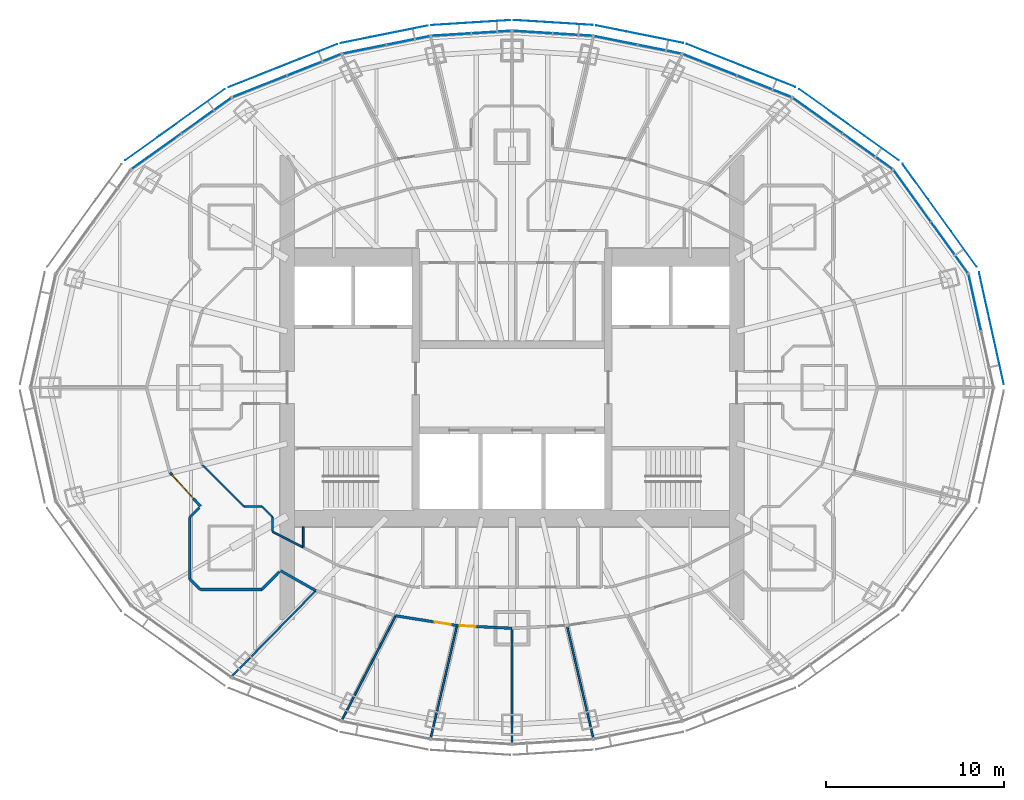
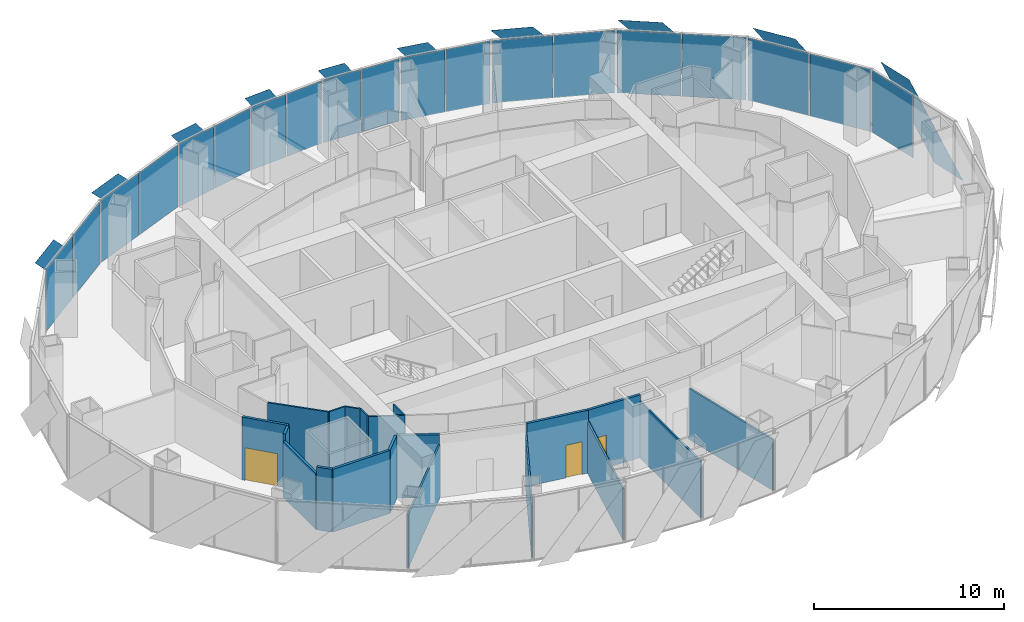
# One storey, part 11 of 18: 29 plates, 20 walls, 3 doors, 3 openings, 10 elements without a shape of their own.
"""IFC4 building model written with IfcOpenShell, lengths in metres."""

import ifcopenshell
import ifcopenshell.guid

model = None  # the IFC model being written
_history = None  # IfcOwnerHistory: only IFC2X3 demands one
_inside = {}  # id of a spatial element -> (the spatial element, [elements in it])
_under = {}  # id of a project, library or spatial element -> (it, [spatial elements below it])
_declared = {}  # id of a project -> (the project, [libraries it declares])
_typed = {}  # id of a type object -> (the type object, [elements of that type])
_made_of = {}  # id of a material, layer set ... -> (it, [elements and type objects made of it])


def new_model(schema):
    """Start an empty IFC model of exactly this schema.

    Asked for "IFC4X3", IfcOpenShell would pick the latest addendum, in which some entities
    have other attributes; the version numbers below select the first issue.
    IFC2X3 requires an IfcOwnerHistory on every rooted entity: one is made here for all.
    """
    global model, _history
    if schema == "IFC4X3":
        model = ifcopenshell.file(schema_version=(4, 3, 0, 0))
    else:
        model = ifcopenshell.file(schema=schema)
    _inside.clear()
    _under.clear()
    _declared.clear()
    _typed.clear()
    _made_of.clear()
    _history = None
    if model.schema == "IFC2X3":
        org = make("IfcOrganization", Name="unknown")
        user = make(
            "IfcPersonAndOrganization",
            ThePerson=make("IfcPerson", FamilyName="unknown"),
            TheOrganization=org,
        )
        app = make(
            "IfcApplication",
            ApplicationDeveloper=org,
            Version="unknown",
            ApplicationFullName="unknown",
            ApplicationIdentifier="unknown",
        )
        _history = make(
            "IfcOwnerHistory",
            OwningUser=user,
            OwningApplication=app,
            ChangeAction="ADDED",
            CreationDate=0,
        )
    return model


def make(cls, **values):
    """One entity of the class cls with the attributes given. An attribute that is None is left unset."""
    return model.create_entity(
        cls, **{name: value for name, value in values.items() if value is not None}
    )


def rooted(cls, **values):
    """An entity with a GlobalId (a new one), such as an element, a storey or a relation."""
    return make(cls, GlobalId=ifcopenshell.guid.new(), OwnerHistory=_history, **values)


def si_unit(unit_type, name, prefix=None):
    """IfcSIUnit, for example si_unit("LENGTHUNIT", "METRE", prefix="MILLI")."""
    return make("IfcSIUnit", UnitType=unit_type, Prefix=prefix, Name=name)


def assignment(units):
    """IfcUnitAssignment: the units of a project."""
    return None if units is None else make("IfcUnitAssignment", Units=units)


def point(xyz):
    """IfcCartesianPoint."""
    return None if xyz is None else make("IfcCartesianPoint", Coordinates=xyz)


def direction(xyz):
    """IfcDirection."""
    return None if xyz is None else make("IfcDirection", DirectionRatios=xyz)


def frame(location, z_axis=None, x_axis=None):
    """IfcAxis2Placement3D, a coordinate frame: its origin and axes. An axis left out is left unset."""
    return make(
        "IfcAxis2Placement3D",
        Location=point(location),
        Axis=direction(z_axis),
        RefDirection=direction(x_axis),
    )


def frame_2d(location, x_axis=None):
    """IfcAxis2Placement2D, a coordinate frame in the plane: its origin and x axis."""
    return make(
        "IfcAxis2Placement2D", Location=point(location), RefDirection=direction(x_axis)
    )


def origin():
    """The frame at (0, 0, 0) with its axes left unset."""
    return frame((0.0, 0.0, 0.0))


def origin_2d():
    """The frame at (0, 0) in the plane with its x axis left unset."""
    return frame_2d((0.0, 0.0))


def place(relative_to, where):
    """IfcLocalPlacement: puts the frame where relative to a parent placement (None: the world)."""
    return make(
        "IfcLocalPlacement", PlacementRelTo=relative_to, RelativePlacement=where
    )


def context(
    kind, dimensions, precision=None, world=None, true_north=None, identifier=None
):
    """IfcGeometricRepresentationContext, for example the 3D "Model" context."""
    return make(
        "IfcGeometricRepresentationContext",
        ContextIdentifier=identifier,
        ContextType=kind,
        CoordinateSpaceDimension=dimensions,
        Precision=precision,
        WorldCoordinateSystem=world,
        TrueNorth=true_north,
    )


def subcontext(parent, identifier, kind, view, scale=None):
    """IfcGeometricRepresentationSubContext, for example "Body" below "Model"."""
    return make(
        "IfcGeometricRepresentationSubContext",
        ContextIdentifier=identifier,
        ContextType=kind,
        ParentContext=parent,
        TargetScale=scale,
        TargetView=view,
    )


def project(units=None, contexts=None):
    """IfcProject with its units and contexts."""
    return rooted(
        "IfcProject",
        Name="project",
        RepresentationContexts=contexts,
        UnitsInContext=assignment(units),
    )


def spatial(cls, under=None, at=None, **own):
    """A site, building, storey or space (cls), placed at a placement, below another one or the project."""
    s = rooted(cls, ObjectPlacement=at, **own)
    if under is not None:
        _under.setdefault(under.id(), (under, []))[1].append(s)
    return s


def polyline(points):
    """IfcPolyline through the points."""
    return make("IfcPolyline", Points=[point(p) for p in points])


def profile(cls, at=None, kind="AREA", **sizes):
    """A parametric profile (cls). Its sizes go by their IFC names, for example OverallWidth=200.0."""
    return make(cls, ProfileType=kind, Position=at, **sizes)


def rectangle(**sizes):
    """IfcRectangleProfileDef."""
    return profile("IfcRectangleProfileDef", **sizes)


def outline(outer, holes=None, kind="AREA"):
    """IfcArbitraryClosedProfileDef: a profile drawn as a closed curve; with holes, ...WithVoids."""
    if holes is None:
        return make("IfcArbitraryClosedProfileDef", ProfileType=kind, OuterCurve=outer)
    return make(
        "IfcArbitraryProfileDefWithVoids",
        ProfileType=kind,
        OuterCurve=outer,
        InnerCurves=holes,
    )


def extrude(swept, where, along, depth):
    """IfcExtrudedAreaSolid: the profile swept, set in the frame where, extruded along a direction by depth."""
    return make(
        "IfcExtrudedAreaSolid",
        SweptArea=swept,
        Position=where,
        ExtrudedDirection=direction(along),
        Depth=depth,
    )


def shape(context_of_items, identifier, shape_type, items):
    """IfcShapeRepresentation: the items that make up one representation, for example the "Body"."""
    return make(
        "IfcShapeRepresentation",
        ContextOfItems=context_of_items,
        RepresentationIdentifier=identifier,
        RepresentationType=shape_type,
        Items=items,
    )


def material(Name=None, Category=None):
    """IfcMaterial."""
    return make("IfcMaterial", Name=Name, Category=Category)


def layer(
    of_material, thickness, ventilated=None, Name=None, Category=None, Priority=None
):
    """IfcMaterialLayer: one layer of a wall or slab, of a material (None: an air gap)."""
    return make(
        "IfcMaterialLayer",
        Material=of_material,
        LayerThickness=thickness,
        IsVentilated=ventilated,
        Name=Name,
        Category=Category,
        Priority=Priority,
    )


def layer_set(layers, Name=None):
    """IfcMaterialLayerSet."""
    return make("IfcMaterialLayerSet", MaterialLayers=layers, LayerSetName=Name)


def made_of(thing, what):
    """Note that an element or type object is made of a material, layer set ...; save() writes the relation."""
    if what is not None:
        _made_of.setdefault(what.id(), (what, []))[1].append(thing)
    return thing


def type_object(cls, material=None, **own):
    """A type object (cls), such as IfcWallType, which elements share."""
    return made_of(rooted(cls, **own), material)


def element(
    cls,
    number,
    at=None,
    inside=None,
    cuts=None,
    type_object=None,
    material=None,
    context=None,
    identifier="Body",
    shape_type=None,
    held_by="IfcProductDefinitionShape",
    body=None,
    shapes=None,
    **own,
):
    """One element of the class cls, such as IfcWall. Its Tag is "e" and its number.

    at: its placement. inside: the storey or other place that contains it. cuts: it is an
    opening in that element (IfcRelVoidsElement). A single representation is given by context,
    identifier, shape_type and body (its items); several are given by shapes. held_by: the class
    of the entity that holds the representations. save() writes the other relations.
    """
    e = rooted(cls, Tag="e%d" % number, ObjectPlacement=at, **own)
    if body is not None:
        shapes = [shape(context, identifier, shape_type, body)]
    if shapes is not None:
        e.Representation = make(held_by, Representations=shapes)
    if inside is not None:
        _inside.setdefault(inside.id(), (inside, []))[1].append(e)
    if cuts is not None:
        rooted(
            "IfcRelVoidsElement", RelatingBuildingElement=cuts, RelatedOpeningElement=e
        )
    if type_object is not None:
        _typed.setdefault(type_object.id(), (type_object, []))[1].append(e)
    return made_of(e, material)


def fill(opening, filler):
    """IfcRelFillsElement: the door or window that sits in an opening."""
    return rooted(
        "IfcRelFillsElement",
        RelatingOpeningElement=opening,
        RelatedBuildingElement=filler,
    )


def aggregate(whole, parts):
    """IfcRelAggregates: a whole, such as a stair, and the parts it consists of."""
    return rooted("IfcRelAggregates", RelatingObject=whole, RelatedObjects=parts)


def save(model, path):
    """Write the relations noted so far, then the file.

    IfcRelAggregates (storeys below a building ...), IfcRelContainedInSpatialStructure (elements
    in a storey), IfcRelDefinesByType, IfcRelAssociatesMaterial and IfcRelDeclares: one each for
    every whole, place, type object, material and project.
    """
    for whole, parts in _under.values():
        aggregate(whole, parts)
    for where, things in _inside.values():
        rooted(
            "IfcRelContainedInSpatialStructure",
            RelatedElements=things,
            RelatingStructure=where,
        )
    for kind, things in _typed.values():
        rooted("IfcRelDefinesByType", RelatedObjects=things, RelatingType=kind)
    for what, things in _made_of.values():
        rooted("IfcRelAssociatesMaterial", RelatedObjects=things, RelatingMaterial=what)
    for by, libraries in _declared.values():
        rooted("IfcRelDeclares", RelatingContext=by, RelatedDefinitions=libraries)
    model.write(path)


model = new_model("IFC4")

# Units and contexts
model_context = context("Model", 3, precision=1e-05, world=origin(), true_north=direction((0.0, 1.0)))
body_context = subcontext(model_context, "Body", "Model", "MODEL_VIEW")
ifc_project = project(units=[si_unit("LENGTHUNIT", "METRE"), si_unit("AREAUNIT", "SQUARE_METRE"), si_unit("VOLUMEUNIT", "CUBIC_METRE"), si_unit("PLANEANGLEUNIT", "RADIAN"), si_unit("MASSUNIT", "GRAM", prefix="KILO")], contexts=[model_context])

# Site, building, storey
site_placement = place(None, origin())
site = spatial("IfcSite", under=ifc_project, at=site_placement, CompositionType="ELEMENT")
building_placement = place(site_placement, origin())
building = spatial("IfcBuilding", under=site, at=building_placement, Name="Lantaw Convention Tower", CompositionType="ELEMENT")
storey_placement = place(building_placement, frame((0.0, 0.0, 228.39990234375)))
storey = spatial("IfcBuildingStorey", under=building, at=storey_placement, Name="L53", CompositionType="ELEMENT", Elevation=228.39990234375)

# Curtain wall, plate
ifc_material_1 = material(Name="Aluminium framed curtain wall", Category="aluminium")
curtain_wall_type = type_object("IfcCurtainWallType", Name="Office curtain wall high rise, pale aluminium", PredefinedType="USERDEFINED", material=ifc_material_1)
curtain_wall_1_placement = place(storey_placement, origin())
curtain_wall_1 = element("IfcCurtainWall", 1, at=curtain_wall_1_placement, inside=storey, type_object=curtain_wall_type, Name="Office curtain wall high rise, pale aluminium L53", ObjectType="UNITISED CURTAIN WALL", PredefinedType="USERDEFINED")
ifc_material_2 = material(Name="Clear insulating glass", Category="glass")
ifc_layer_1 = layer(ifc_material_2, 0.028076171875)
ifc_layer_set_1 = layer_set([ifc_layer_1], Name="CW-O2 panel 28")
plate_type_1 = type_object("IfcPlateType", Name="CW-O2 panel 28", PredefinedType="CURTAIN_PANEL", material=ifc_layer_set_1)
plate_1_placement = place(storey_placement, frame((25.945556640625, 4.769287109375, -0.0849609375), z_axis=(0.0, 0.0, 1.0), x_axis=(-0.215891333626, 0.976417396437, 0.0)))
plate_1 = element("IfcPlate", 2, at=plate_1_placement, type_object=plate_type_1, Name="CW-O2 panel 2.1", PredefinedType="CURTAIN_PANEL", context=body_context, shape_type="SweptSolid", body=[
    extrude(rectangle(XDim=3.169677734375, YDim=0.028076171875, at=origin_2d()), origin(), (0.0, 0.0, 1.0), 4.02001953125),
])
aggregate(curtain_wall_1, [plate_1])

# Curtain wall, plates
curtain_wall_2_placement = place(storey_placement, origin())
curtain_wall_2 = element("IfcCurtainWall", 3, at=curtain_wall_2_placement, inside=storey, type_object=curtain_wall_type, Name="Office curtain wall high rise, pale aluminium L53", ObjectType="UNITISED CURTAIN WALL", PredefinedType="USERDEFINED")
plate_2_placement = place(storey_placement, frame((24.527099609375, 7.852294921875, -0.0849609375), z_axis=(0.0, 0.0, 1.0), x_axis=(-0.585157643865, 0.810919559405, 0.0)))
plate_2 = element("IfcPlate", 4, at=plate_2_placement, type_object=plate_type_1, Name="CW-O2 panel 1.1", PredefinedType="CURTAIN_PANEL", context=body_context, shape_type="SweptSolid", body=[
    extrude(rectangle(XDim=3.500732421875, YDim=0.028076171875, at=origin_2d()), origin(), (0.0, 0.0, 1.0), 4.02001953125),
])
plate_3_placement = place(storey_placement, frame((22.4404296875, 10.743896484375, -0.0849609375), z_axis=(0.0, 0.0, 1.0), x_axis=(-0.585157643865, 0.810919559405, 0.0)))
plate_3 = element("IfcPlate", 5, at=plate_3_placement, type_object=plate_type_1, Name="CW-O2 panel 2.1", PredefinedType="CURTAIN_PANEL", context=body_context, shape_type="SweptSolid", body=[
    extrude(rectangle(XDim=3.500732421875, YDim=0.028076171875, at=origin_2d()), origin(), (0.0, 0.0, 1.0), 4.02001953125),
])
aggregate(curtain_wall_2, [plate_2, plate_3])

curtain_wall_3_placement = place(storey_placement, origin())
curtain_wall_3 = element("IfcCurtainWall", 6, at=curtain_wall_3_placement, inside=storey, type_object=curtain_wall_type, Name="Office curtain wall high rise, pale aluminium L53", ObjectType="UNITISED CURTAIN WALL", PredefinedType="USERDEFINED")
plate_4_placement = place(storey_placement, frame((19.947509765625, 13.23828125, -0.0849609375), z_axis=(0.0, 0.0, 1.0), x_axis=(-0.813672540482, 0.581323487281, 0.0)))
plate_4 = element("IfcPlate", 7, at=plate_4_placement, type_object=plate_type_1, Name="CW-O2 panel 1.1", PredefinedType="CURTAIN_PANEL", context=body_context, shape_type="SweptSolid", body=[
    extrude(rectangle(XDim=3.386474609375, YDim=0.028076171875, at=origin_2d()), origin(), (0.0, 0.0, 1.0), 4.02001953125),
])
plate_5_placement = place(storey_placement, frame((17.13916015625, 15.24462890625, -0.0849609375), z_axis=(0.0, 0.0, 1.0), x_axis=(-0.813672540482, 0.581323487281, 0.0)))
plate_5 = element("IfcPlate", 8, at=plate_5_placement, type_object=plate_type_1, Name="CW-O2 panel 2.1", PredefinedType="CURTAIN_PANEL", context=body_context, shape_type="SweptSolid", body=[
    extrude(rectangle(XDim=3.386474609375, YDim=0.028076171875, at=origin_2d()), origin(), (0.0, 0.0, 1.0), 4.02001953125),
])
aggregate(curtain_wall_3, [plate_4, plate_5])

curtain_wall_4_placement = place(storey_placement, origin())
curtain_wall_4 = element("IfcCurtainWall", 9, at=curtain_wall_4_placement, inside=storey, type_object=curtain_wall_type, Name="Office curtain wall high rise, pale aluminium L53", ObjectType="UNITISED CURTAIN WALL", PredefinedType="USERDEFINED")
plate_6_placement = place(storey_placement, frame((14.14990234375, 16.8837890625, -0.0849609375), z_axis=(0.0, 0.0, 1.0), x_axis=(-0.929761533743, 0.368162315252, 0.0)))
plate_6 = element("IfcPlate", 10, at=plate_6_placement, type_object=plate_type_1, Name="CW-O2 panel 1.1", PredefinedType="CURTAIN_PANEL", context=body_context, shape_type="SweptSolid", body=[
    extrude(rectangle(XDim=3.222900390625, YDim=0.028076171875, at=origin_2d()), origin(), (0.0, 0.0, 1.0), 4.02001953125),
])
plate_7_placement = place(storey_placement, frame((11.0927734375, 18.094482421875, -0.0849609375), z_axis=(0.0, 0.0, 1.0), x_axis=(-0.929761533743, 0.368162315252, 0.0)))
plate_7 = element("IfcPlate", 11, at=plate_7_placement, type_object=plate_type_1, Name="CW-O2 panel 2.1", PredefinedType="CURTAIN_PANEL", context=body_context, shape_type="SweptSolid", body=[
    extrude(rectangle(XDim=3.222900390625, YDim=0.028076171875, at=origin_2d()), origin(), (0.0, 0.0, 1.0), 4.02001953125),
])
aggregate(curtain_wall_4, [plate_6, plate_7])

curtain_wall_5_placement = place(storey_placement, origin())
curtain_wall_5 = element("IfcCurtainWall", 12, at=curtain_wall_5_placement, inside=storey, type_object=curtain_wall_type, Name="Office curtain wall high rise, pale aluminium L53", ObjectType="UNITISED CURTAIN WALL", PredefinedType="USERDEFINED")
plate_8_placement = place(storey_placement, frame((8.2724609375, 18.96533203125, -0.0849609375), z_axis=(0.0, 0.0, 1.0), x_axis=(-0.980366679695, 0.197183095987, 0.0)))
plate_8 = element("IfcPlate", 13, at=plate_8_placement, type_object=plate_type_1, Name="CW-O2 panel 1.1", PredefinedType="CURTAIN_PANEL", context=body_context, shape_type="SweptSolid", body=[
    extrude(rectangle(XDim=2.44384765625, YDim=0.028076171875, at=origin_2d()), origin(), (0.0, 0.0, 1.0), 4.02001953125),
])
plate_9_placement = place(storey_placement, frame((5.81298828125, 19.4599609375, -0.0849609375), z_axis=(0.0, 0.0, 1.0), x_axis=(-0.980366679695, 0.197183095987, 0.0)))
plate_9 = element("IfcPlate", 14, at=plate_9_placement, type_object=plate_type_1, Name="CW-O2 panel 2.1", PredefinedType="CURTAIN_PANEL", context=body_context, shape_type="SweptSolid", body=[
    extrude(rectangle(XDim=2.44384765625, YDim=0.028076171875, at=origin_2d()), origin(), (0.0, 0.0, 1.0), 4.02001953125),
])
aggregate(curtain_wall_5, [plate_8, plate_9])

curtain_wall_6_placement = place(storey_placement, origin())
curtain_wall_6 = element("IfcCurtainWall", 15, at=curtain_wall_6_placement, inside=storey, type_object=curtain_wall_type, Name="Office curtain wall high rise, pale aluminium L53", ObjectType="UNITISED CURTAIN WALL", PredefinedType="USERDEFINED")
plate_10_placement = place(storey_placement, frame((3.397216796875, 19.786376953125, -0.0849609375), z_axis=(0.0, 0.0, 1.0), x_axis=(-0.998028774865, 0.062757983884, 0.0)))
plate_10 = element("IfcPlate", 16, at=plate_10_placement, type_object=plate_type_1, Name="CW-O2 panel 1.1", PredefinedType="CURTAIN_PANEL", context=body_context, shape_type="SweptSolid", body=[
    extrude(rectangle(XDim=2.1826171875, YDim=0.028076171875, at=origin_2d()), origin(), (0.0, 0.0, 1.0), 4.02001953125),
])
plate_11_placement = place(storey_placement, frame((1.154052734375, 19.927490234375, -0.0849609375), z_axis=(0.0, 0.0, 1.0), x_axis=(-0.998028774865, 0.062757983884, 0.0)))
plate_11 = element("IfcPlate", 17, at=plate_11_placement, type_object=plate_type_1, Name="CW-O2 panel 2.1", PredefinedType="CURTAIN_PANEL", context=body_context, shape_type="SweptSolid", body=[
    extrude(rectangle(XDim=2.1826171875, YDim=0.028076171875, at=origin_2d()), origin(), (0.0, 0.0, 1.0), 4.02001953125),
])
aggregate(curtain_wall_6, [plate_10, plate_11])

curtain_wall_7_placement = place(storey_placement, origin())
curtain_wall_7 = element("IfcCurtainWall", 18, at=curtain_wall_7_placement, inside=storey, type_object=curtain_wall_type, Name="Office curtain wall high rise, pale aluminium L53", ObjectType="UNITISED CURTAIN WALL", PredefinedType="USERDEFINED")
plate_12_placement = place(storey_placement, frame((-1.154052734375, 19.927490234375, -0.0849609375), z_axis=(0.0, 0.0, 1.0), x_axis=(-0.998028774865, -0.062757983884, 0.0)))
plate_12 = element("IfcPlate", 19, at=plate_12_placement, type_object=plate_type_1, Name="CW-O2 panel 1.1", PredefinedType="CURTAIN_PANEL", context=body_context, shape_type="SweptSolid", body=[
    extrude(rectangle(XDim=2.1826171875, YDim=0.028076171875, at=origin_2d()), origin(), (0.0, 0.0, 1.0), 4.02001953125),
])
plate_13_placement = place(storey_placement, frame((-3.397216796875, 19.786376953125, -0.0849609375), z_axis=(0.0, 0.0, 1.0), x_axis=(-0.998028774865, -0.062757983884, 0.0)))
plate_13 = element("IfcPlate", 20, at=plate_13_placement, type_object=plate_type_1, Name="CW-O2 panel 2.1", PredefinedType="CURTAIN_PANEL", context=body_context, shape_type="SweptSolid", body=[
    extrude(rectangle(XDim=2.1826171875, YDim=0.028076171875, at=origin_2d()), origin(), (0.0, 0.0, 1.0), 4.02001953125),
])
aggregate(curtain_wall_7, [plate_12, plate_13])

curtain_wall_8_placement = place(storey_placement, origin())
curtain_wall_8 = element("IfcCurtainWall", 21, at=curtain_wall_8_placement, inside=storey, type_object=curtain_wall_type, Name="Office curtain wall high rise, pale aluminium L53", ObjectType="UNITISED CURTAIN WALL", PredefinedType="USERDEFINED")
plate_14_placement = place(storey_placement, frame((-5.81298828125, 19.4599609375, -0.0849609375), z_axis=(0.0, 0.0, 1.0), x_axis=(-0.980366679695, -0.197183095987, 0.0)))
plate_14 = element("IfcPlate", 22, at=plate_14_placement, type_object=plate_type_1, Name="CW-O2 panel 1.1", PredefinedType="CURTAIN_PANEL", context=body_context, shape_type="SweptSolid", body=[
    extrude(rectangle(XDim=2.44384765625, YDim=0.028076171875, at=origin_2d()), origin(), (0.0, 0.0, 1.0), 4.02001953125),
])
plate_15_placement = place(storey_placement, frame((-8.2724609375, 18.96533203125, -0.0849609375), z_axis=(0.0, 0.0, 1.0), x_axis=(-0.980366679695, -0.197183095987, 0.0)))
plate_15 = element("IfcPlate", 23, at=plate_15_placement, type_object=plate_type_1, Name="CW-O2 panel 2.1", PredefinedType="CURTAIN_PANEL", context=body_context, shape_type="SweptSolid", body=[
    extrude(rectangle(XDim=2.44384765625, YDim=0.028076171875, at=origin_2d()), origin(), (0.0, 0.0, 1.0), 4.02001953125),
])
aggregate(curtain_wall_8, [plate_14, plate_15])

curtain_wall_9_placement = place(storey_placement, origin())
curtain_wall_9 = element("IfcCurtainWall", 24, at=curtain_wall_9_placement, inside=storey, type_object=curtain_wall_type, Name="Office curtain wall high rise, pale aluminium L53", ObjectType="UNITISED CURTAIN WALL", PredefinedType="USERDEFINED")
plate_16_placement = place(storey_placement, frame((-11.0927734375, 18.094482421875, -0.0849609375), z_axis=(0.0, 0.0, 1.0), x_axis=(-0.929761533743, -0.368162315252, 0.0)))
plate_16 = element("IfcPlate", 25, at=plate_16_placement, type_object=plate_type_1, Name="CW-O2 panel 1.1", PredefinedType="CURTAIN_PANEL", context=body_context, shape_type="SweptSolid", body=[
    extrude(rectangle(XDim=3.222900390625, YDim=0.028076171875, at=origin_2d()), origin(), (0.0, 0.0, 1.0), 4.02001953125),
])
plate_17_placement = place(storey_placement, frame((-14.14990234375, 16.8837890625, -0.0849609375), z_axis=(0.0, 0.0, 1.0), x_axis=(-0.929761533743, -0.368162315252, 0.0)))
plate_17 = element("IfcPlate", 26, at=plate_17_placement, type_object=plate_type_1, Name="CW-O2 panel 2.1", PredefinedType="CURTAIN_PANEL", context=body_context, shape_type="SweptSolid", body=[
    extrude(rectangle(XDim=3.222900390625, YDim=0.028076171875, at=origin_2d()), origin(), (0.0, 0.0, 1.0), 4.02001953125),
])
aggregate(curtain_wall_9, [plate_16, plate_17])

curtain_wall_10_placement = place(storey_placement, origin())
curtain_wall_10 = element("IfcCurtainWall", 27, at=curtain_wall_10_placement, inside=storey, type_object=curtain_wall_type, Name="Office curtain wall high rise, pale aluminium L53", ObjectType="UNITISED CURTAIN WALL", PredefinedType="USERDEFINED")
plate_18_placement = place(storey_placement, frame((-17.13916015625, 15.24462890625, -0.0849609375), z_axis=(0.0, 0.0, 1.0), x_axis=(-0.813672540482, -0.581323487281, 0.0)))
plate_18 = element("IfcPlate", 28, at=plate_18_placement, type_object=plate_type_1, Name="CW-O2 panel 1.1", PredefinedType="CURTAIN_PANEL", context=body_context, shape_type="SweptSolid", body=[
    extrude(rectangle(XDim=3.386474609375, YDim=0.028076171875, at=origin_2d()), origin(), (0.0, 0.0, 1.0), 4.02001953125),
])
plate_19_placement = place(storey_placement, frame((-19.947509765625, 13.23828125, -0.0849609375), z_axis=(0.0, 0.0, 1.0), x_axis=(-0.813672540482, -0.581323487281, 0.0)))
plate_19 = element("IfcPlate", 29, at=plate_19_placement, type_object=plate_type_1, Name="CW-O2 panel 2.1", PredefinedType="CURTAIN_PANEL", context=body_context, shape_type="SweptSolid", body=[
    extrude(rectangle(XDim=3.386474609375, YDim=0.028076171875, at=origin_2d()), origin(), (0.0, 0.0, 1.0), 4.02001953125),
])
aggregate(curtain_wall_10, [plate_18, plate_19])

# Plates
ifc_material_3 = material(Name="Perforated aluminium sheet, pale silver finish", Category="aluminium")
ifc_layer_2 = layer(ifc_material_3, 0.006103515625)
ifc_layer_set_2 = layer_set([ifc_layer_2], Name="Perforated aluminium solar SCREEN panel")
plate_type_2 = type_object("IfcPlateType", Name="Perforated aluminium solar SCREEN panel", PredefinedType="SHEET", material=ifc_layer_set_2)
plate_20_placement = place(storey_placement, frame((27.580810546875, 0.1796875, -0.1748046875), z_axis=(0.976429511424, 0.215836529031, 4.4221925e-05), x_axis=(-0.215836529242, 0.976429512379, 0.0)))
element("IfcPlate", 30, at=plate_20_placement, inside=storey, type_object=plate_type_2, Name="Solar SCREEN panel", PredefinedType="SHEET", context=body_context, shape_type="SweptSolid", body=[
    extrude(outline(polyline([(0.0, 0.0), (2.2215525295212517, 3.3881317890172014e-21), (6.4341686174090675, 4.339843754243453), (4.212616087887817, 4.339843754243453), (0.0, 0.0)])), origin(), (0.0, 0.0, -1.0), 0.006103515625),
])
plate_21_placement = place(storey_placement, frame((26.051513671875, 6.775390625, -0.1748046875), z_axis=(-0.810892289695, -0.585195432394, 2.0459565e-05), x_axis=(-0.585195432516, 0.810892289865, 0.0)))
element("IfcPlate", 31, at=plate_21_placement, inside=storey, type_object=plate_type_2, Name="Solar SCREEN panel", PredefinedType="SHEET", context=body_context, shape_type="SweptSolid", body=[
    extrude(outline(polyline([(0.0, 0.0), (2.4468488406832853, 0.0), (7.096610466675719, -4.339843750908316), (4.649761625992434, -4.339843750908316), (0.0, 0.0)])), origin(), (0.0, 0.0, -1.0), 0.006103515625),
])
plate_22_placement = place(storey_placement, frame((21.689697265625, 12.73828125, -0.1748046875), z_axis=(0.581330799771, 0.813667316006, 1.0072981e-05), x_axis=(-0.813667316047, 0.5813307998, 3.02e-10)))
element("IfcPlate", 32, at=plate_22_placement, inside=storey, type_object=plate_type_2, Name="Solar SCREEN panel", PredefinedType="SHEET", context=body_context, shape_type="SweptSolid", body=[
    extrude(outline(polyline([(0.0, 0.0), (2.36914164286685, -1.6940658945086007e-21), (6.867806096558412, 4.339843748148034), (4.498863102938643, 4.3398437495775966), (0.0, 0.0)])), origin(), (0.0, 0.0, -1.0), 0.006103515625),
])
plate_23_placement = place(storey_placement, frame((15.88525390625, 16.8486328125, -0.1748046875), z_axis=(-0.368116612072, -0.929779629081, 3.5535267e-05), x_axis=(-0.929779629668, 0.368116612304, -1.786e-09)))
element("IfcPlate", 33, at=plate_23_placement, inside=storey, type_object=plate_type_2, Name="Solar SCREEN panel", PredefinedType="SHEET", context=body_context, shape_type="SweptSolid", body=[
    extrude(outline(polyline([(0.0, 0.0), (2.2578720663572183, -6.776263578034403e-21), (6.540904465438181, -4.339843764423989), (4.282942526861161, -4.33984375635743), (0.0, 0.0)])), origin(), (0.0, 0.0, -1.0), 0.006103515625),
])
plate_24_placement = place(storey_placement, frame((9.6044921875, 19.315673828125, -0.1748046875), z_axis=(-0.197162069853, -0.980370908428, 1.0904697e-05), x_axis=(-0.980370908486, 0.197162069865, -7.55e-10)))
element("IfcPlate", 34, at=plate_24_placement, inside=storey, type_object=plate_type_2, Name="Solar SCREEN panel", PredefinedType="SHEET", context=body_context, shape_type="SweptSolid", body=[
    extrude(outline(polyline([(0.0, 0.0), (1.7279870169553606, 0.0), (4.982578440602753, -4.339843754020975), (3.2545432883764285, -4.339843751410917), (0.0, 0.0)])), origin(), (0.0, 0.0, -1.0), 0.006103515625),
])
plate_25_placement = place(storey_placement, frame((4.539306640625, 20.32177734375, -0.1748046875), z_axis=(-0.062672387577, -0.998034151922, 5.8589976e-05), x_axis=(-0.998034153635, 0.062672387685, 0.0)))
element("IfcPlate", 35, at=plate_25_placement, inside=storey, type_object=plate_type_2, Name="Solar SCREEN panel", PredefinedType="SHEET", context=body_context, shape_type="SweptSolid", body=[
    extrude(outline(polyline([(0.0, 0.0), (1.5504111513762302, 8.470329472543003e-22), (4.460200019412434, -4.339843757448876), (2.9097888680362036, -4.339843757448876), (0.0, 0.0)])), origin(), (0.0, 0.0, -1.0), 0.006103515625),
])
plate_26_placement = place(storey_placement, frame((-0.087890625, 20.6015625, -0.1748046875), z_axis=(-0.062672387577, 0.998034151922, 5.8589976e-05), x_axis=(-0.998034153635, -0.062672387685, 0.0)))
element("IfcPlate", 36, at=plate_26_placement, inside=storey, type_object=plate_type_2, Name="Solar SCREEN panel", PredefinedType="SHEET", context=body_context, shape_type="SweptSolid", body=[
    extrude(outline(polyline([(0.0, 0.0), (1.5504111513762302, -8.470329472543003e-22), (4.460200019412434, 4.339843757448876), (2.9097888680362036, 4.339843757448876), (0.0, 0.0)])), origin(), (0.0, 0.0, -1.0), 0.006103515625),
])
plate_27_placement = place(storey_placement, frame((-4.7197265625, 20.298095703125, -0.1748046875), z_axis=(-0.197162069853, 0.980370908428, 1.0904697e-05), x_axis=(-0.980370908486, -0.197162069865, 7.55e-10)))
element("IfcPlate", 37, at=plate_27_placement, inside=storey, type_object=plate_type_2, Name="Solar SCREEN panel", PredefinedType="SHEET", context=body_context, shape_type="SweptSolid", body=[
    extrude(outline(polyline([(0.0, 0.0), (1.7280351522263238, 0.0), (4.982578447157737, 4.339843746495192), (3.2545914302023755, 4.339843749105177), (0.0, 0.0)])), origin(), (0.0, 0.0, -1.0), 0.006103515625),
])
plate_28_placement = place(storey_placement, frame((-9.8037109375, 19.256591796875, -0.1748046875), z_axis=(-0.368116612072, 0.929779629081, 3.5535267e-05), x_axis=(-0.929779629668, -0.368116612304, 1.786e-09)))
element("IfcPlate", 38, at=plate_28_placement, inside=storey, type_object=plate_type_2, Name="Solar SCREEN panel", PredefinedType="SHEET", context=body_context, shape_type="SweptSolid", body=[
    extrude(outline(polyline([(0.0, 0.0), (2.257961938577019, 6.776263578034403e-21), (6.540904480942253, 4.339843741056637), (4.283032414585034, 4.339843749122875), (0.0, 0.0)])), origin(), (0.0, 0.0, -1.0), 0.006103515625),
])
plate_29_placement = place(storey_placement, frame((-16.1015625, 16.730712890625, -0.1748046875), z_axis=(0.581330799771, -0.813667316006, 1.0072981e-05), x_axis=(-0.813667316047, -0.5813307998, -3.02e-10)))
element("IfcPlate", 39, at=plate_29_placement, inside=storey, type_object=plate_type_2, Name="Solar SCREEN panel", PredefinedType="SHEET", context=body_context, shape_type="SweptSolid", body=[
    extrude(outline(polyline([(0.0, 0.0), (2.3689429936197683, -1.6940658945086007e-21), (6.867806093939489, -4.339843752292481), (4.498664451072639, -4.339843750862799), (0.0, 0.0)])), origin(), (0.0, 0.0, -1.0), 0.006103515625),
])

# Wall, opening, door
ifc_material_4 = material(Name="Gypsum board on steel studs, fire rated", Category="steel")
ifc_layer_3 = layer(ifc_material_4, 0.14990234375)
ifc_layer_set_3 = layer_set([ifc_layer_3], Name="Corridor wall 150 EI 60")
wall_type_1 = type_object("IfcWallType", Name="Corridor wall 150 EI 60", PredefinedType="PARTITIONING", material=ifc_layer_set_3)
wall_1_placement = place(storey_placement, frame((-6.521240234375, -12.798828125, 0.0), z_axis=(0.0, 0.0, 1.0), x_axis=(0.987554093087, -0.157279729233, 0.0)))
wall_1 = element("IfcWall", 40, at=wall_1_placement, inside=storey, type_object=wall_type_1, Name="Corridor wall 150", PredefinedType="PARTITIONING", context=body_context, shape_type="SweptSolid", body=[
    extrude(rectangle(XDim=3.4833984375, YDim=0.14990234375, at=frame_2d((1.74169921875, 0.0))), origin(), (0.0, 0.0, 1.0), 4.050048828125),
])
opening_1_placement = place(wall_1_placement, frame((2.2255859375, 0.0, 0.0)))
opening_1 = element("IfcOpeningElement", 41, at=opening_1_placement, cuts=wall_1, Name="Opening L53.38", PredefinedType="OPENING", context=body_context, shape_type="SweptSolid", body=[
    extrude(rectangle(XDim=0.89990234375, YDim=2.10009765625, at=frame_2d((0.449951171875, 1.050048828125))), frame((0.0, 0.0849609375, 0.0), z_axis=(0.0, -1.0, 0.0), x_axis=(1.0, 0.0, 0.0)), (0.0, 0.0, 1.0), 0.169921875),
])
ifc_material_5 = material(Name="Steel, fire rated", Category="steel")
door_type_1 = type_object("IfcDoorType", Name="Office door 900 FD30", OperationType="SINGLE_SWING_LEFT", PredefinedType="DOOR", material=ifc_material_5)
door_1_placement = place(opening_1_placement, origin())
door_1 = element("IfcDoor", 42, at=door_1_placement, inside=storey, type_object=door_type_1, Name="Private office door", OperationType="SINGLE_SWING_LEFT", OverallHeight=2.10009765625, OverallWidth=0.89990234375, PredefinedType="DOOR", context=body_context, shape_type="SweptSolid", body=[
    extrude(rectangle(XDim=0.89990234375, YDim=2.10009765625, at=frame_2d((0.449951171875, 1.050048828125))), frame((0.0, 0.02490234375, 0.0), z_axis=(0.0, -1.0, 0.0), x_axis=(1.0, 0.0, 0.0)), (0.0, 0.0, 1.0), 0.050048828125),
])
fill(opening_1, door_1)

wall_2_placement = place(storey_placement, frame((-3.081298828125, -13.3466796875, 0.0), z_axis=(0.0, 0.0, 1.0), x_axis=(0.99876434787, -0.049696855278, 0.0)))
wall_2 = element("IfcWall", 43, at=wall_2_placement, inside=storey, type_object=wall_type_1, Name="Corridor wall 150", PredefinedType="PARTITIONING", context=body_context, shape_type="SweptSolid", body=[
    extrude(rectangle(XDim=3.085205078125, YDim=0.14990234375, at=frame_2d((1.54248046875, 0.0))), origin(), (0.0, 0.0, 1.0), 4.050048828125),
])
opening_2_placement = place(wall_2_placement, frame((0.14990234375, 0.0, 0.0)))
opening_2 = element("IfcOpeningElement", 44, at=opening_2_placement, cuts=wall_2, Name="Opening L53.39", PredefinedType="OPENING", context=body_context, shape_type="SweptSolid", body=[
    extrude(rectangle(XDim=0.89990234375, YDim=2.10009765625, at=frame_2d((0.449951171875, 1.050048828125))), frame((0.0, 0.0849609375, 0.0), z_axis=(0.0, -1.0, 0.0), x_axis=(1.0, 0.0, 0.0)), (0.0, 0.0, 1.0), 0.169921875),
])
door_2_placement = place(opening_2_placement, origin())
door_2 = element("IfcDoor", 45, at=door_2_placement, inside=storey, type_object=door_type_1, Name="Private office door", OperationType="SINGLE_SWING_LEFT", OverallHeight=2.10009765625, OverallWidth=0.89990234375, PredefinedType="DOOR", context=body_context, shape_type="SweptSolid", body=[
    extrude(rectangle(XDim=0.89990234375, YDim=2.10009765625, at=frame_2d((0.449951171875, 1.050048828125))), frame((0.0, 0.02490234375, 0.0), z_axis=(0.0, -1.0, 0.0), x_axis=(1.0, 0.0, 0.0)), (0.0, 0.0, 1.0), 0.050048828125),
])
fill(opening_2, door_2)

wall_3_placement = place(storey_placement, frame((-19.171875, -4.780029296875, 0.0), z_axis=(0.0, 0.0, 1.0), x_axis=(0.671721890643, -0.74080341632, 0.0)))
wall_3 = element("IfcWall", 46, at=wall_3_placement, inside=storey, type_object=wall_type_1, Name="Corridor wall 150", PredefinedType="PARTITIONING", context=body_context, shape_type="SweptSolid", body=[
    extrude(rectangle(XDim=2.54443359375, YDim=0.14990234375, at=frame_2d((1.272216796875, 0.0))), origin(), (0.0, 0.0, 1.0), 4.050048828125),
])
opening_3_placement = place(wall_3_placement, frame((0.14990234375, 0.0, 0.0)))
opening_3 = element("IfcOpeningElement", 47, at=opening_3_placement, cuts=wall_3, Name="Opening L53.36", PredefinedType="OPENING", context=body_context, shape_type="SweptSolid", body=[
    extrude(rectangle(XDim=1.800048828125, YDim=2.10009765625, at=frame_2d((0.89990234375, 1.050048828125))), frame((0.0, 0.0849609375, 0.0), z_axis=(0.0, -1.0, 0.0), x_axis=(1.0, 0.0, 0.0)), (0.0, 0.0, 1.0), 0.169921875),
])
door_type_2 = type_object("IfcDoorType", Name="Office double door 1800 FD30", OperationType="DOUBLE_DOOR_DOUBLE_SWING", PredefinedType="DOOR", material=ifc_material_5)
door_3_placement = place(opening_3_placement, origin())
door_3 = element("IfcDoor", 48, at=door_3_placement, inside=storey, type_object=door_type_2, Name="Boardroom door", OperationType="DOUBLE_DOOR_DOUBLE_SWING", OverallHeight=2.10009765625, OverallWidth=1.800048828125, PredefinedType="DOOR", context=body_context, shape_type="SweptSolid", body=[
    extrude(rectangle(XDim=1.800048828125, YDim=2.10009765625, at=frame_2d((0.89990234375, 1.050048828125))), frame((0.0, 0.02490234375, 0.0), z_axis=(0.0, -1.0, 0.0), x_axis=(1.0, 0.0, 0.0)), (0.0, 0.0, 1.0), 0.050048828125),
])
fill(opening_3, door_3)

# Walls
wall_4_placement = place(storey_placement, frame((-12.974609375, -10.271484375, 0.0), z_axis=(0.0, 0.0, 1.0), x_axis=(0.869722107117, -0.493541747366, 0.0)))
element("IfcWall", 49, at=wall_4_placement, inside=storey, type_object=wall_type_1, Name="Corridor wall 150", PredefinedType="PARTITIONING", context=body_context, shape_type="SweptSolid", body=[
    extrude(rectangle(XDim=2.26953125, YDim=0.14990234375, at=frame_2d((1.134765625, 0.0))), origin(), (0.0, 0.0, 1.0), 4.050048828125),
])
wall_5_placement = place(storey_placement, frame((-13.035888671875, -10.318603515625, 0.0), z_axis=(0.0, 0.0, 1.0), x_axis=(-0.701113567316, -0.713049623606, 0.0)))
element("IfcWall", 50, at=wall_5_placement, inside=storey, type_object=wall_type_1, Name="Corridor wall 150", PredefinedType="PARTITIONING", context=body_context, shape_type="SweptSolid", body=[
    extrude(rectangle(XDim=1.411376953125, YDim=0.14990234375, at=frame_2d((0.70556640625, 0.0))), origin(), (0.0, 0.0, 1.0), 4.050048828125),
])
wall_6_placement = place(storey_placement, frame((-14.025390625, -11.324951171875, 0.0), z_axis=(0.0, 0.0, 1.0), x_axis=(-1.0, 0.0, 0.0)))
element("IfcWall", 51, at=wall_6_placement, inside=storey, type_object=wall_type_1, Name="Corridor wall 150", PredefinedType="PARTITIONING", context=body_context, shape_type="SweptSolid", body=[
    extrude(rectangle(XDim=3.44921875, YDim=0.14990234375, at=frame_2d((1.724609375, 0.0))), origin(), (0.0, 0.0, 1.0), 4.050048828125),
])
wall_7_placement = place(storey_placement, frame((-17.474609375, -11.324951171875, 0.0), z_axis=(0.0, 0.0, 1.0), x_axis=(-0.707106781187, 0.707106781187, 0.0)))
element("IfcWall", 52, at=wall_7_placement, inside=storey, type_object=wall_type_1, Name="Corridor wall 150", PredefinedType="PARTITIONING", context=body_context, shape_type="SweptSolid", body=[
    extrude(rectangle(XDim=0.84912109375, YDim=0.14990234375, at=frame_2d((0.424560546875, 0.0))), origin(), (0.0, 0.0, 1.0), 4.050048828125),
])
wall_8_placement = place(storey_placement, frame((-18.074951171875, -10.724609375, 0.0), z_axis=(0.0, 0.0, 1.0), x_axis=(0.0, 1.0, 0.0)))
element("IfcWall", 53, at=wall_8_placement, inside=storey, type_object=wall_type_1, Name="Corridor wall 150", PredefinedType="PARTITIONING", context=body_context, shape_type="SweptSolid", body=[
    extrude(rectangle(XDim=3.44921875, YDim=0.14990234375, at=frame_2d((1.724609375, 0.0))), origin(), (0.0, 0.0, 1.0), 3.6005859375),
])
wall_9_placement = place(storey_placement, frame((-18.074951171875, -7.275390625, 0.0), z_axis=(0.0, 0.0, 1.0), x_axis=(0.707106781187, 0.707106781187, 0.0)))
element("IfcWall", 54, at=wall_9_placement, inside=storey, type_object=wall_type_1, Name="Corridor wall 150", PredefinedType="PARTITIONING", context=body_context, shape_type="SweptSolid", body=[
    extrude(rectangle(XDim=0.759521484375, YDim=0.14990234375, at=frame_2d((0.3798828125, 0.0))), origin(), (0.0, 0.0, 1.0), 4.050048828125),
])
ifc_material_6 = material(Name="Gypsum board on steel studs, acoustic", Category="steel")
ifc_layer_4 = layer(ifc_material_6, 0.10009765625)
ifc_layer_set_4 = layer_set([ifc_layer_4], Name="Office partition 100")
wall_type_2 = type_object("IfcWallType", Name="Office partition 100", PredefinedType="PARTITIONING", material=ifc_layer_set_4)
wall_10_placement = place(storey_placement, frame((-15.70947265625, -16.19873046875, 0.0), z_axis=(0.0, 0.0, 1.0), x_axis=(0.699758297028, 0.71437967898, 0.0)))
element("IfcWall", 55, at=wall_10_placement, inside=storey, type_object=wall_type_2, Name="Office partition 100", PredefinedType="PARTITIONING", context=body_context, shape_type="SweptSolid", body=[
    extrude(rectangle(XDim=6.72900390625, YDim=0.10009765625, at=frame_2d((3.364501953125, 0.0))), origin(), (0.0, 0.0, 1.0), 3.409912109375),
])
wall_11_placement = place(storey_placement, frame((-9.53955078125, -18.650390625, 0.0), z_axis=(0.0, 0.0, 1.0), x_axis=(0.458420942987, 0.888735190611, 0.0)))
element("IfcWall", 56, at=wall_11_placement, inside=storey, type_object=wall_type_2, Name="Office partition 100", PredefinedType="PARTITIONING", context=body_context, shape_type="SweptSolid", body=[
    extrude(rectangle(XDim=6.584228515625, YDim=0.10009765625, at=frame_2d((3.2919921875, 0.0))), origin(), (0.0, 0.0, 1.0), 3.293212890625),
])
wall_12_placement = place(storey_placement, frame((-4.5556640625, -19.65673828125, 0.0), z_axis=(0.0, 0.0, 1.0), x_axis=(0.227524978141, 0.973772244584, 0.0)))
element("IfcWall", 57, at=wall_12_placement, inside=storey, type_object=wall_type_2, Name="Office partition 100", PredefinedType="PARTITIONING", context=body_context, shape_type="SweptSolid", body=[
    extrude(rectangle(XDim=6.47998046875, YDim=0.10009765625, at=frame_2d((3.239990234375, 0.0))), origin(), (0.0, 0.0, 1.0), 3.293212890625),
])
wall_13_placement = place(storey_placement, frame((0.0, -19.94482421875, 0.0), z_axis=(0.0, 0.0, 1.0), x_axis=(0.0, 1.0, 0.0)))
element("IfcWall", 58, at=wall_13_placement, inside=storey, type_object=wall_type_2, Name="Office partition 100", PredefinedType="PARTITIONING", context=body_context, shape_type="SweptSolid", body=[
    extrude(rectangle(XDim=6.44482421875, YDim=0.10009765625, at=frame_2d((3.222412109375, 0.0))), origin(), (0.0, 0.0, 1.0), 3.646240234375),
])
wall_14_placement = place(storey_placement, frame((4.5556640625, -19.65673828125, 0.0), z_axis=(0.0, 0.0, 1.0), x_axis=(-0.227524978141, 0.973772244584, 0.0)))
element("IfcWall", 59, at=wall_14_placement, inside=storey, type_object=wall_type_2, Name="Office partition 100", PredefinedType="PARTITIONING", context=body_context, shape_type="SweptSolid", body=[
    extrude(rectangle(XDim=6.47998046875, YDim=0.10009765625, at=frame_2d((3.239990234375, 0.0))), origin(), (0.0, 0.0, 1.0), 3.293212890625),
])
wall_15_placement = place(storey_placement, frame((-11.7099609375, -7.800048828125, 0.0), z_axis=(0.0, 0.0, 1.0), x_axis=(0.0, -1.0, 0.0)))
element("IfcWall", 60, at=wall_15_placement, inside=storey, type_object=wall_type_2, Name="Office partition 100", PredefinedType="PARTITIONING", context=body_context, shape_type="SweptSolid", body=[
    extrude(rectangle(XDim=1.1669921875, YDim=0.10009765625, at=frame_2d((0.58349609375, 0.0))), origin(), (0.0, 0.0, 1.0), 4.050048828125),
])
wall_16_placement = place(storey_placement, frame((-11.7099609375, -8.967041015625, 0.0), z_axis=(0.0, 0.0, 1.0), x_axis=(-0.889638356137, 0.456665736935, 0.0)))
element("IfcWall", 61, at=wall_16_placement, inside=storey, type_object=wall_type_2, Name="Office partition 100", PredefinedType="PARTITIONING", context=body_context, shape_type="SweptSolid", body=[
    extrude(rectangle(XDim=1.91650390625, YDim=0.10009765625, at=frame_2d((0.958251953125, 0.0))), origin(), (0.0, 0.0, 1.0), 4.050048828125),
])
wall_17_placement = place(storey_placement, frame((-15.03466796875, -6.6650390625, 0.0), z_axis=(0.0, 0.0, 1.0), x_axis=(-0.707587114823, 0.70662612104, 0.0)))
element("IfcWall", 62, at=wall_17_placement, inside=storey, type_object=wall_type_2, Name="Office partition 100", PredefinedType="PARTITIONING", context=body_context, shape_type="SweptSolid", body=[
    extrude(rectangle(XDim=3.302734375, YDim=0.10009765625, at=frame_2d((1.6513671875, 0.0))), origin(), (0.0, 0.0, 1.0), 4.050048828125),
])
wall_18_placement = place(storey_placement, frame((-15.002197265625, -6.675048828125, 0.0), z_axis=(0.0, 0.0, 1.0), x_axis=(1.0, 0.0, 0.0)))
element("IfcWall", 63, at=wall_18_placement, inside=storey, type_object=wall_type_2, Name="Office partition 100", PredefinedType="PARTITIONING", context=body_context, shape_type="SweptSolid", body=[
    extrude(rectangle(XDim=0.976806640625, YDim=0.10009765625, at=frame_2d((0.48828125, 0.0))), origin(), (0.0, 0.0, 1.0), 4.050048828125),
])
wall_19_placement = place(storey_placement, frame((-14.025390625, -6.675048828125, 0.0), z_axis=(0.0, 0.0, 1.0), x_axis=(0.707106781187, -0.707106781187, 0.0)))
element("IfcWall", 64, at=wall_19_placement, inside=storey, type_object=wall_type_2, Name="Office partition 100", PredefinedType="PARTITIONING", context=body_context, shape_type="SweptSolid", body=[
    extrude(rectangle(XDim=0.84912109375, YDim=0.10009765625, at=frame_2d((0.424560546875, 0.0))), origin(), (0.0, 0.0, 1.0), 4.050048828125),
])
wall_20_placement = place(storey_placement, frame((-13.425048828125, -7.275390625, 0.0), z_axis=(0.0, 0.0, 1.0), x_axis=(0.0, -1.0, 0.0)))
element("IfcWall", 65, at=wall_20_placement, inside=storey, type_object=wall_type_2, Name="Office partition 100", PredefinedType="PARTITIONING", context=body_context, shape_type="SweptSolid", body=[
    extrude(rectangle(XDim=0.770263671875, YDim=0.10009765625, at=frame_2d((0.38525390625, 0.0))), origin(), (0.0, 0.0, 1.0), 4.050048828125),
])

save(model, "model.ifc")
